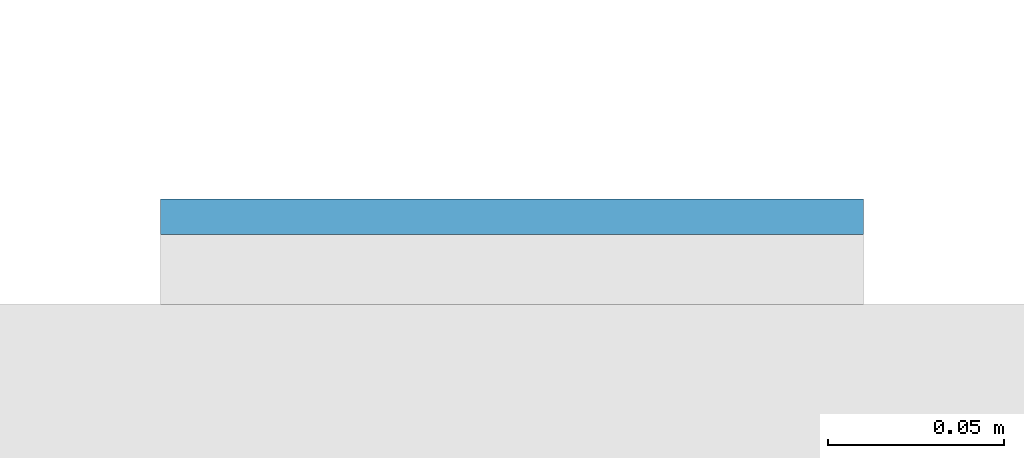
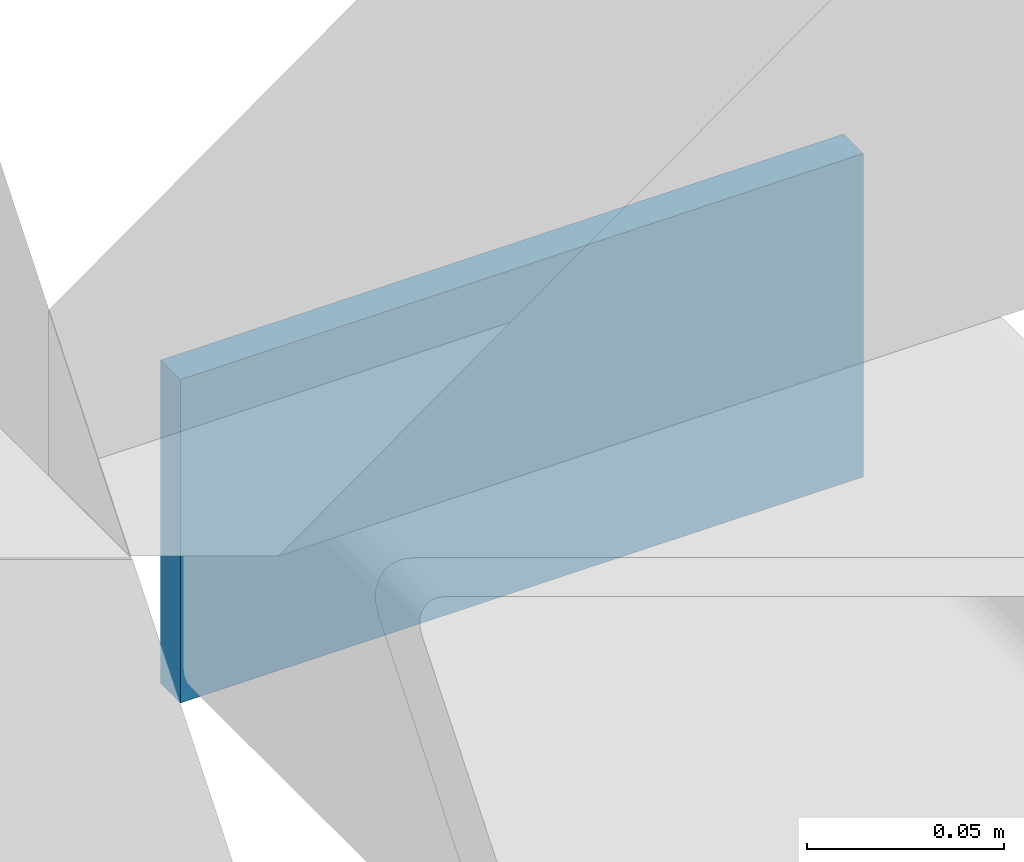
# One storey, part 11 of 20: 1 plate.
"""IFC4 building model written with IfcOpenShell, lengths in metres."""

from ifc_helpers import new_model, si_unit, direction, frame, origin, origin_2d, place, context, subcontext, project, spatial, rectangle, extrude, material, layer, layer_set, type_object, element, save


model = new_model("IFC4")

# Units and contexts
model_context = context("Model", 3, precision=1e-05, world=origin(), true_north=direction((0.0, 1.0)))
body_context = subcontext(model_context, "Body", "Model", "MODEL_VIEW")
ifc_project = project(units=[si_unit("LENGTHUNIT", "METRE"), si_unit("AREAUNIT", "SQUARE_METRE"), si_unit("VOLUMEUNIT", "CUBIC_METRE"), si_unit("PLANEANGLEUNIT", "RADIAN"), si_unit("MASSUNIT", "GRAM", prefix="KILO")], contexts=[model_context])

# Site, building, storey
site_placement = place(None, origin())
site = spatial("IfcSite", under=ifc_project, at=site_placement, CompositionType="ELEMENT")
building_placement = place(site_placement, origin())
building = spatial("IfcBuilding", under=site, at=building_placement, Name="Cleftline Residences", CompositionType="ELEMENT")
storey_placement = place(building_placement, frame((0.0, 0.0, 196.60009765625)))
storey = spatial("IfcBuildingStorey", under=building, at=storey_placement, Name="L51", CompositionType="ELEMENT", Elevation=196.60009765625)

# Plate
ifc_material = material(Name="Steel S355, hot-dip galvanised", Category="steel")
ifc_layer = layer(ifc_material, 0.010009765625)
ifc_layer_set = layer_set([ifc_layer], Name="BAGUETTE CARRIER END PLATE 200X100X10")
plate_type = type_object("IfcPlateType", Name="BAGUETTE CARRIER END PLATE 200X100X10", PredefinedType="USERDEFINED", material=ifc_layer_set)
plate_placement = place(storey_placement, frame((66.85009765625, 44.304931640625, -0.10009765625), z_axis=(0.0, 0.0, 1.0), x_axis=(1.0, 0.0, 0.0)))
element("IfcPlate", 1, at=plate_placement, inside=storey, type_object=plate_type, Name="Baguette carrier end plate", ObjectType="BAGUETTE CARRIER END PLATE", PredefinedType="USERDEFINED", context=body_context, shape_type="SweptSolid", body=[
    extrude(rectangle(XDim=0.199951171875, YDim=0.010009765625, at=origin_2d()), origin(), (0.0, 0.0, 1.0), 0.10009765625),
])

save(model, "model.ifc")
